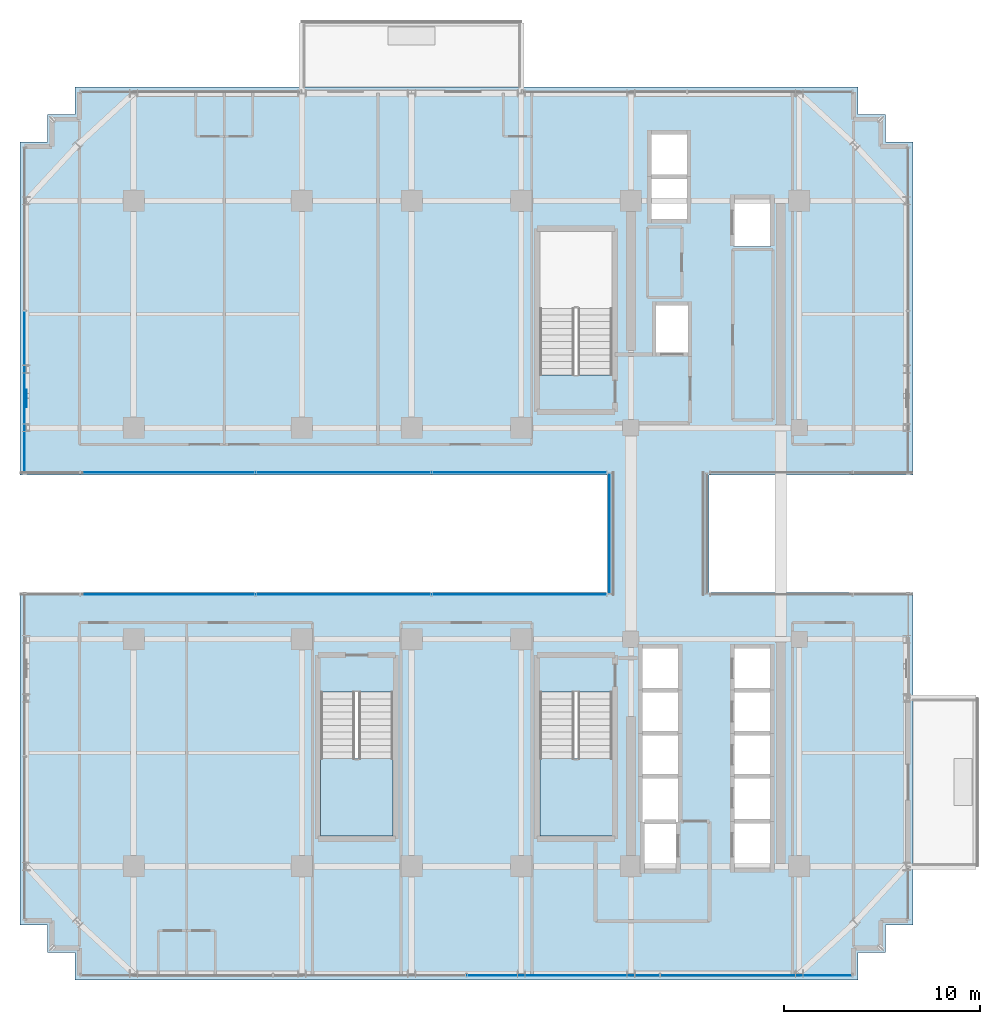
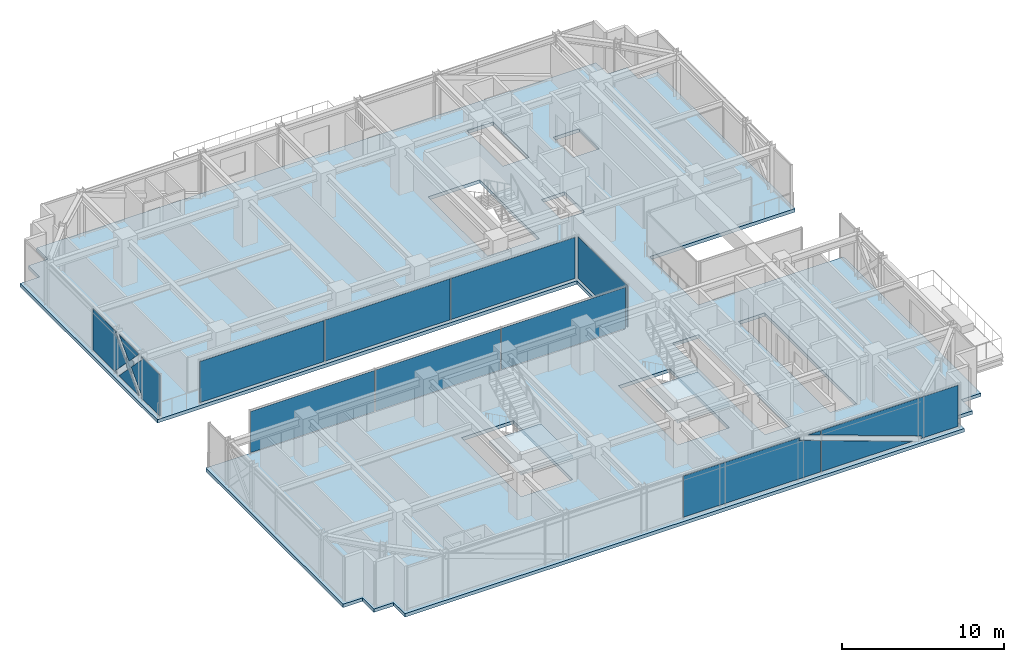
# One storey, part 29 of 41: 11 plates, 3 slabs, 7 elements without a shape of their own.
"""IFC4 building model written with IfcOpenShell, lengths in metres."""

from ifc_helpers import new_model, si_unit, direction, frame, origin, origin_2d, place, context, subcontext, project, spatial, polyline, rectangle, outline, extrude, source, transform, mapped, material, layer, layer_set, type_object, element, aggregate, save


model = new_model("IFC4")

# Units and contexts
model_context = context("Model", 3, precision=1e-05, world=origin(), true_north=direction((0.0, 1.0)))
body_context = subcontext(model_context, "Body", "Model", "MODEL_VIEW")
ifc_project = project(units=[si_unit("LENGTHUNIT", "METRE"), si_unit("AREAUNIT", "SQUARE_METRE"), si_unit("VOLUMEUNIT", "CUBIC_METRE"), si_unit("PLANEANGLEUNIT", "RADIAN"), si_unit("MASSUNIT", "GRAM", prefix="KILO")], contexts=[model_context])

# Site, building, storey
site_placement = place(None, origin())
site = spatial("IfcSite", under=ifc_project, at=site_placement, CompositionType="ELEMENT")
building_placement = place(site_placement, origin())
building = spatial("IfcBuilding", under=site, at=building_placement, Name="Nahalor Promenade Grand Hotel", CompositionType="ELEMENT")
storey_placement = place(building_placement, frame((0.0, 0.0, 159.949951171875)))
storey = spatial("IfcBuildingStorey", under=building, at=storey_placement, Name="L40", CompositionType="ELEMENT", Elevation=159.949951171875)

# Curtain wall, plates
ifc_material_1 = material(Name="Anodised Bronze Aluminium EN AW-6063 T6", Category="aluminium")
curtain_wall_type_1 = type_object("IfcCurtainWallType", Name="CW3 Elliptical-Void Collar Unitised Curtain Wall", PredefinedType="USERDEFINED", material=ifc_material_1)
curtain_wall_1_placement = place(storey_placement, origin())
curtain_wall_1 = element("IfcCurtainWall", 1, at=curtain_wall_1_placement, inside=storey, type_object=curtain_wall_type_1, Name="L40 Curtain Wall CW-L40-S-1", ObjectType="UNITISED_CURTAIN_WALL", PredefinedType="USERDEFINED")
ifc_material_2 = material(Name="Low-E Laminated Solar Glass", Category="glass")
ifc_layer_1 = layer(ifc_material_2, 0.030029296875)
ifc_layer_set_1 = layer_set([ifc_layer_1], Name="Low-E Laminated Solar Glass")
plate_type_1 = type_object("IfcPlateType", Name="CWP3 High-Wind Laminated Bronze IGU 30mm", PredefinedType="CURTAIN_PANEL", material=ifc_layer_set_1)
plate_1_placement = place(storey_placement, frame((4.93994140625, -22.56005859375, 0.14013671875), z_axis=(0.0, 0.0, 1.0), x_axis=(1.0, 0.0, 0.0)))
plate_1 = element("IfcPlate", 2, at=plate_1_placement, type_object=plate_type_1, Name="CW-L40-S-1 Glazing Panel 2-0", PredefinedType="CURTAIN_PANEL", context=body_context, shape_type="SweptSolid", body=[
    extrude(outline(polyline([(-4.905029296875, 0.0), (4.905029296875, 0.0), (4.905029296875, 2.368408203125), (3.368896484375, 2.920166015625), (3.43701171875, 3.110107421875), (-4.905029296875, 3.110107421875), (-4.905029296875, 0.0)])), frame((0.0, 0.01513671875, 0.0), z_axis=(0.0, -1.0, 0.0), x_axis=(1.0, 0.0, 0.0)), (0.0, 0.0, 1.0), 0.030029296875),
    extrude(outline(polyline([(4.905029296875, 2.793212890625), (4.905029296875, 3.110107421875), (4.023681640625, 3.110107421875), (4.905029296875, 2.793212890625)])), frame((0.0, 0.01513671875, 0.0), z_axis=(0.0, -1.0, 0.0), x_axis=(1.0, 0.0, 0.0)), (0.0, 0.0, 1.0), 0.030029296875),
])
plate_2_placement = place(storey_placement, frame((14.802490234375, -22.56005859375, 0.14013671875), z_axis=(0.0, 0.0, 1.0), x_axis=(1.0, 0.0, 0.0)))
plate_2 = element("IfcPlate", 3, at=plate_2_placement, type_object=plate_type_1, Name="CW-L40-S-1 Glazing Panel 3-0", PredefinedType="CURTAIN_PANEL", context=body_context, shape_type="SweptSolid", body=[
    extrude(outline(polyline([(4.887451171875, 3.110107421875), (-4.887451171875, 3.110107421875), (-4.887451171875, 2.76806640625), (2.28857421875, 0.189697265625), (2.220458984375, 0.0), (4.887451171875, 0.0), (4.887451171875, 3.110107421875)])), frame((0.0, 0.01513671875, 0.0), z_axis=(0.0, -1.0, 0.0), x_axis=(1.0, 0.0, 0.0)), (0.0, 0.0, 1.0), 0.030029296875),
    extrude(outline(polyline([(-4.887451171875, 2.343017578125), (-4.887451171875, 0.0), (1.6337890625, 0.0), (-4.887451171875, 2.343017578125)])), frame((0.0, 0.01513671875, 0.0), z_axis=(0.0, -1.0, 0.0), x_axis=(1.0, 0.0, 0.0)), (0.0, 0.0, 1.0), 0.030029296875),
])
aggregate(curtain_wall_1, [plate_1, plate_2])

# Curtain wall, plate
curtain_wall_2_placement = place(storey_placement, origin())
curtain_wall_2 = element("IfcCurtainWall", 4, at=curtain_wall_2_placement, inside=storey, type_object=curtain_wall_type_1, Name="L40 Curtain Wall CW-L40-W-2", ObjectType="UNITISED_CURTAIN_WALL", PredefinedType="USERDEFINED")
plate_3_placement = place(storey_placement, frame((-22.56005859375, 7.206787109375, 0.14013671875), z_axis=(0.0, 0.0, 1.0), x_axis=(0.0, 1.0, 0.0)))
plate_3 = element("IfcPlate", 5, at=plate_3_placement, type_object=plate_type_1, Name="CW-L40-W-2 Glazing Panel 0-0", PredefinedType="CURTAIN_PANEL", context=body_context, shape_type="SweptSolid", body=[
    extrude(outline(polyline([(-4.1376953125, 3.110107421875), (-4.1376953125, 0.0), (-1.832275390625, 0.0), (-1.9677734375, 0.13134765625), (-0.58544921875, 1.554931640625), (-1.9677734375, 2.978515625), (-1.832275390625, 3.110107421875), (-4.1376953125, 3.110107421875)])), frame((0.0, 0.01513671875, 0.0), z_axis=(0.0, -1.0, 0.0), x_axis=(1.0, 0.0, 0.0)), (0.0, 0.0, 1.0), 0.030029296875),
    extrude(outline(polyline([(-0.306640625, 1.267822265625), (-1.53759765625, 0.0), (0.92431640625, 0.0), (-0.306640625, 1.267822265625)])), frame((0.0, 0.01513671875, 0.0), z_axis=(0.0, -1.0, 0.0), x_axis=(1.0, 0.0, 0.0)), (0.0, 0.0, 1.0), 0.030029296875),
    extrude(outline(polyline([(-0.306640625, 1.842041015625), (0.92431640625, 3.110107421875), (-1.53759765625, 3.110107421875), (-0.306640625, 1.842041015625)])), frame((0.0, 0.01513671875, 0.0), z_axis=(0.0, -1.0, 0.0), x_axis=(1.0, 0.0, 0.0)), (0.0, 0.0, 1.0), 0.030029296875),
    extrude(outline(polyline([(4.1376953125, 0.0), (4.1376953125, 3.110107421875), (1.21875, 3.110107421875), (1.354248046875, 2.978515625), (-0.028076171875, 1.554931640625), (1.354248046875, 0.13134765625), (1.21875, 0.0), (4.1376953125, 0.0)])), frame((0.0, 0.01513671875, 0.0), z_axis=(0.0, -1.0, 0.0), x_axis=(1.0, 0.0, 0.0)), (0.0, 0.0, 1.0), 0.030029296875),
])
aggregate(curtain_wall_2, [plate_3])

# Stair, slab
ifc_material_3 = material(Name="Concrete B-50 (C40/50)", Category="concrete")
stair_type_1 = type_object("IfcStairType", Name="Stair-ST2", PredefinedType="HALF_TURN_STAIR", material=ifc_material_3)
stair_1_placement = place(storey_placement, origin())
stair_1 = element("IfcStair", 6, at=stair_1_placement, inside=storey, type_object=stair_type_1, Name="L40 ST2", PredefinedType="HALF_TURN_STAIR")
ifc_layer_2 = layer(ifc_material_3, 0.2099609375)
ifc_layer_set_2 = layer_set([ifc_layer_2], Name="Concrete B-50 (C40/50)")
slab_type_1 = type_object("IfcSlabType", Name="Landing-ST2", PredefinedType="LANDING", material=ifc_layer_set_2)
slab_1_placement = place(storey_placement, frame((0.0, 0.0, 1.614990234375)))
slab_1 = element("IfcSlab", 7, at=slab_1_placement, type_object=slab_type_1, Name="ST2 landing 1", PredefinedType="LANDING", context=body_context, shape_type="SweptSolid", body=[
    extrude(outline(polyline([(3.75, -11.5), (3.75, -15.449951171875), (7.449951171875, -15.449951171875), (7.449951171875, -11.5), (3.75, -11.5)])), origin(), (0.0, 0.0, 1.0), 0.2099609375),
])
aggregate(stair_1, [slab_1])

stair_type_2 = type_object("IfcStairType", Name="Stair-ST3", PredefinedType="HALF_TURN_STAIR", material=ifc_material_3)
stair_2_placement = place(storey_placement, origin())
stair_2 = element("IfcStair", 8, at=stair_2_placement, inside=storey, type_object=stair_type_2, Name="L40 ST3", PredefinedType="HALF_TURN_STAIR")
ifc_layer_3 = layer(ifc_material_3, 0.219970703125)
ifc_layer_set_3 = layer_set([ifc_layer_3], Name="Concrete B-50 (C40/50)")
slab_type_2 = type_object("IfcSlabType", Name="Landing-ST3", PredefinedType="LANDING", material=ifc_layer_set_3)
slab_2_placement = place(storey_placement, frame((0.0, 0.0, 1.60498046875)))
slab_2 = element("IfcSlab", 9, at=slab_2_placement, type_object=slab_type_2, Name="ST3 landing 1", PredefinedType="LANDING", context=body_context, shape_type="SweptSolid", body=[
    extrude(outline(polyline([(-7.449951171875, -11.5), (-7.449951171875, -15.449951171875), (-3.75, -15.449951171875), (-3.75, -11.5), (-7.449951171875, -11.5)])), origin(), (0.0, 0.0, 1.0), 0.219970703125),
])
aggregate(stair_2, [slab_2])

# Slab
ifc_layer_4 = layer(ifc_material_3, 0.260009765625)
ifc_layer_set_4 = layer_set([ifc_layer_4], Name="Concrete B-50 (C40/50)")
slab_type_3 = type_object("IfcSlabType", Name="Slab-TowerZ3-260", PredefinedType="FLOOR", material=ifc_layer_set_4)
slab_3_placement = place(storey_placement, frame((0.0, 0.0, -0.260009765625)))
element("IfcSlab", 10, at=slab_3_placement, inside=storey, type_object=slab_type_3, Name="L40 Suspended Structural Floor Slab", PredefinedType="FLOOR", context=body_context, shape_type="SweptSolid", body=[
    extrude(outline(polyline([(-20.0, -22.800048828125), (20.0, -22.800048828125), (20.0, -21.39990234375), (21.39990234375, -21.39990234375), (21.39990234375, -20.0), (22.800048828125, -20.0), (22.800048828125, -2.9990234375), (12.39990234375, -2.9990234375), (12.39990234375, 2.9990234375), (22.800048828125, 2.9990234375), (22.800048828125, 20.0), (21.39990234375, 20.0), (21.39990234375, 21.39990234375), (20.0, 21.39990234375), (20.0, 22.800048828125), (-20.0, 22.800048828125), (-20.0, 21.39990234375), (-21.39990234375, 21.39990234375), (-21.39990234375, 20.0), (-22.800048828125, 20.0), (-22.800048828125, 2.9990234375), (7.199951171875, 2.9990234375), (7.199951171875, -2.9990234375), (-22.800048828125, -2.9990234375), (-22.800048828125, -20.0), (-21.39990234375, -20.0), (-21.39990234375, -21.39990234375), (-20.0, -21.39990234375), (-20.0, -22.800048828125)]), holes=[polyline([(3.75, 8.10009765625), (7.449951171875, 8.10009765625), (7.449951171875, 15.449951171875), (3.75, 15.449951171875), (3.75, 8.10009765625)]), polyline([(3.75, -15.449951171875), (7.449951171875, -15.449951171875), (7.449951171875, -8.10009765625), (3.75, -8.10009765625), (3.75, -15.449951171875)]), polyline([(-7.449951171875, -15.449951171875), (-3.75, -15.449951171875), (-3.75, -8.10009765625), (-7.449951171875, -8.10009765625), (-7.449951171875, -15.449951171875)]), polyline([(13.659912109375, -17.139892578125), (15.5400390625, -17.139892578125), (15.5400390625, -5.81005859375), (13.659912109375, -5.81005859375), (13.659912109375, -17.139892578125)]), polyline([(8.9599609375, -17.18994140625), (10.840087890625, -17.18994140625), (10.840087890625, -5.81005859375), (8.9599609375, -5.81005859375), (8.9599609375, -17.18994140625)]), polyline([(9.409912109375, 16.010009765625), (11.2900390625, 16.010009765625), (11.2900390625, 20.43994140625), (9.409912109375, 20.43994140625), (9.409912109375, 16.010009765625)]), polyline([(9.659912109375, 9.2099609375), (11.340087890625, 9.2099609375), (11.340087890625, 11.68994140625), (9.659912109375, 11.68994140625), (9.659912109375, 9.2099609375)]), polyline([(13.659912109375, 14.659912109375), (15.5400390625, 14.659912109375), (15.5400390625, 17.139892578125), (13.659912109375, 17.139892578125), (13.659912109375, 14.659912109375)])]), origin(), (0.0, 0.0, 1.0), 0.260009765625),
])

# Plate
ifc_material_4 = material(Name="Steel S355J2", Category="steel")
ifc_layer_5 = layer(ifc_material_4, 0.035888671875)
ifc_layer_set_5 = layer_set([ifc_layer_5], Name="Steel S355J2")
plate_type_2 = type_object("IfcPlateType", Name="Plate-CrossGusset-36", PredefinedType="USERDEFINED", material=ifc_layer_set_5)
shared_shape_1 = source(origin(), body_context, "Body", "SweptSolid", [
    extrude(rectangle(XDim=0.89990234375, YDim=0.035888671875, at=origin_2d()), origin(), (0.0, 0.0, 1.0), 0.89990234375),
])
plate_4_placement = place(storey_placement, frame((-22.47998046875, 6.89990234375, 1.2451171875), z_axis=(0.0, 0.0, 1.0), x_axis=(0.0, 1.0, 0.0)))
element("IfcPlate", 11, at=plate_4_placement, inside=storey, type_object=plate_type_2, Name="PL-L40-VXX-W1", ObjectType="GUSSET_PLATE", PredefinedType="USERDEFINED", context=body_context, shape_type="MappedRepresentation", body=[
    mapped(shared_shape_1, transform((0.0, 0.0, 0.0), scale=1.0)),
])

# Curtain wall, plates
curtain_wall_3_placement = place(storey_placement, origin())
curtain_wall_3 = element("IfcCurtainWall", 12, at=curtain_wall_3_placement, inside=storey, type_object=curtain_wall_type_1, Name="L40 Curtain Wall CW-L40-VOID-WS1", ObjectType="UNITISED_CURTAIN_WALL", PredefinedType="USERDEFINED")
shared_shape_2 = source(origin(), body_context, "Body", "SweptSolid", [
    extrude(rectangle(XDim=8.881591796875, YDim=0.030029296875, at=origin_2d()), origin(), (0.0, 0.0, 1.0), 3.110107421875),
])
plate_5_placement = place(storey_placement, frame((-15.249267578125, -3.118896484375, 0.14013671875), z_axis=(0.0, 0.0, 1.0), x_axis=(1.0, 0.0, 0.0)))
plate_5 = element("IfcPlate", 13, at=plate_5_placement, type_object=plate_type_1, Name="CW-L40-VOID-WS1 Glazing Panel 0-0", PredefinedType="CURTAIN_PANEL", context=body_context, shape_type="MappedRepresentation", body=[
    mapped(shared_shape_2, transform((0.0, 0.0, 0.0), scale=1.0)),
])
plate_6_placement = place(storey_placement, frame((2.689208984375, -3.118896484375, 0.14013671875), z_axis=(0.0, 0.0, 1.0), x_axis=(1.0, 0.0, 0.0)))
plate_6 = element("IfcPlate", 14, at=plate_6_placement, type_object=plate_type_1, Name="CW-L40-VOID-WS1 Glazing Panel 2-0", PredefinedType="CURTAIN_PANEL", context=body_context, shape_type="MappedRepresentation", body=[
    mapped(shared_shape_2, transform((0.0, 0.0, 0.0), scale=1.0)),
])

curtain_wall_4_placement = place(storey_placement, origin())
curtain_wall_4 = element("IfcCurtainWall", 15, at=curtain_wall_4_placement, inside=storey, type_object=curtain_wall_type_1, Name="L40 Curtain Wall CW-L40-VOID-WN1", ObjectType="UNITISED_CURTAIN_WALL", PredefinedType="USERDEFINED")
plate_7_placement = place(storey_placement, frame((-15.249267578125, 3.118896484375, 0.14013671875), z_axis=(0.0, 0.0, 1.0), x_axis=(1.0, 0.0, 0.0)))
plate_7 = element("IfcPlate", 16, at=plate_7_placement, type_object=plate_type_1, Name="CW-L40-VOID-WN1 Glazing Panel 0-0", PredefinedType="CURTAIN_PANEL", context=body_context, shape_type="MappedRepresentation", body=[
    mapped(shared_shape_2, transform((0.0, 0.0, 0.0), scale=1.0)),
])
plate_8_placement = place(storey_placement, frame((2.689208984375, 3.118896484375, 0.14013671875), z_axis=(0.0, 0.0, 1.0), x_axis=(1.0, 0.0, 0.0)))
plate_8 = element("IfcPlate", 17, at=plate_8_placement, type_object=plate_type_1, Name="CW-L40-VOID-WN1 Glazing Panel 2-0", PredefinedType="CURTAIN_PANEL", context=body_context, shape_type="MappedRepresentation", body=[
    mapped(shared_shape_2, transform((0.0, 0.0, 0.0), scale=1.0)),
])

# Plate
shared_shape_3 = source(origin(), body_context, "Body", "SweptSolid", [
    extrude(rectangle(XDim=8.916748046875, YDim=0.030029296875, at=origin_2d()), origin(), (0.0, 0.0, 1.0), 3.110107421875),
])
plate_9_placement = place(storey_placement, frame((-6.280029296875, -3.118896484375, 0.14013671875), z_axis=(0.0, 0.0, 1.0), x_axis=(1.0, 0.0, 0.0)))
plate_9 = element("IfcPlate", 18, at=plate_9_placement, type_object=plate_type_1, Name="CW-L40-VOID-WS1 Glazing Panel 1-0", PredefinedType="CURTAIN_PANEL", context=body_context, shape_type="MappedRepresentation", body=[
    mapped(shared_shape_3, transform((0.0, 0.0, 0.0), scale=1.0)),
])

aggregate(curtain_wall_3, [plate_5, plate_9, plate_6])

plate_10_placement = place(storey_placement, frame((-6.280029296875, 3.118896484375, 0.14013671875), z_axis=(0.0, 0.0, 1.0), x_axis=(1.0, 0.0, 0.0)))
plate_10 = element("IfcPlate", 19, at=plate_10_placement, type_object=plate_type_1, Name="CW-L40-VOID-WN1 Glazing Panel 1-0", PredefinedType="CURTAIN_PANEL", context=body_context, shape_type="MappedRepresentation", body=[
    mapped(shared_shape_3, transform((0.0, 0.0, 0.0), scale=1.0)),
])

aggregate(curtain_wall_4, [plate_7, plate_10, plate_8])

# Curtain wall, plate
curtain_wall_type_2 = type_object("IfcCurtainWallType", Name="CW4 Low-Iron Sky-Gallery Bridge Curtain Wall", PredefinedType="USERDEFINED", material=ifc_material_1)
curtain_wall_5_placement = place(storey_placement, origin())
curtain_wall_5 = element("IfcCurtainWall", 20, at=curtain_wall_5_placement, inside=storey, type_object=curtain_wall_type_2, Name="L40 Curtain Wall CW-L40-BRG-W", ObjectType="UNITISED_CURTAIN_WALL", PredefinedType="USERDEFINED")
ifc_layer_6 = layer(ifc_material_2, 0.02587890625)
ifc_layer_set_6 = layer_set([ifc_layer_6], Name="Low-E Laminated Solar Glass")
plate_type_3 = type_object("IfcPlateType", Name="CWP4 Ultra-Clear Low-Iron Bridge IGU 26mm", PredefinedType="CURTAIN_PANEL", material=ifc_layer_set_6)
shared_shape_4 = source(origin(), body_context, "Body", "SweptSolid", [
    extrude(rectangle(XDim=6.117919921875, YDim=0.02587890625, at=origin_2d()), origin(), (0.0, 0.0, 1.0), 3.14990234375),
])
plate_11_placement = place(storey_placement, frame((7.320068359375, 0.0, 0.1201171875), z_axis=(0.0, 0.0, 1.0), x_axis=(0.0, 1.0, 0.0)))
plate_11 = element("IfcPlate", 21, at=plate_11_placement, type_object=plate_type_3, Name="CW-L40-BRG-W Glazing Panel 0-0", PredefinedType="CURTAIN_PANEL", context=body_context, shape_type="MappedRepresentation", body=[
    mapped(shared_shape_4, transform((0.0, 0.0, 0.0), scale=1.0)),
])
aggregate(curtain_wall_5, [plate_11])

save(model, "model.ifc")
